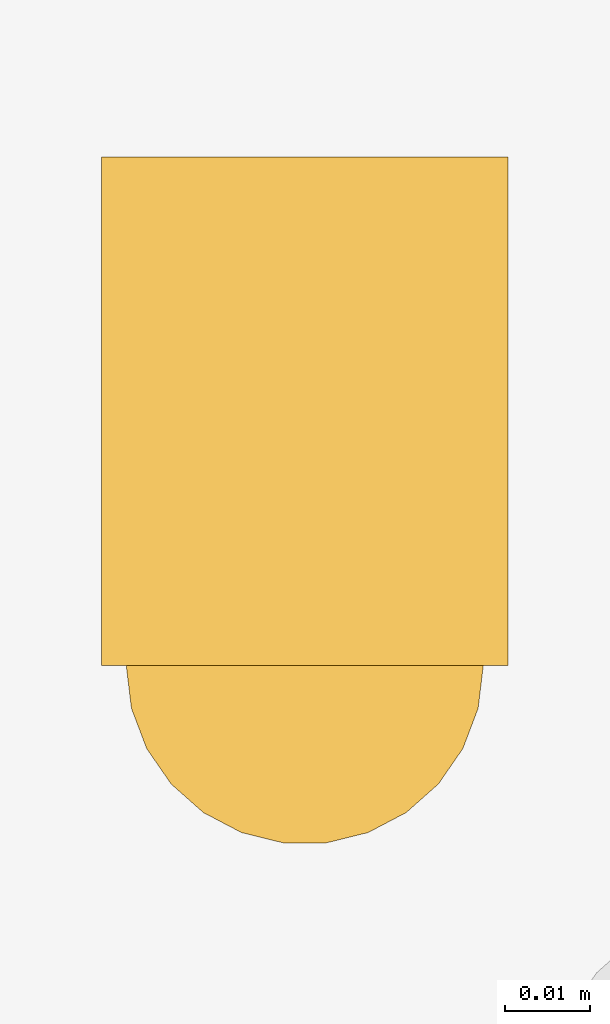
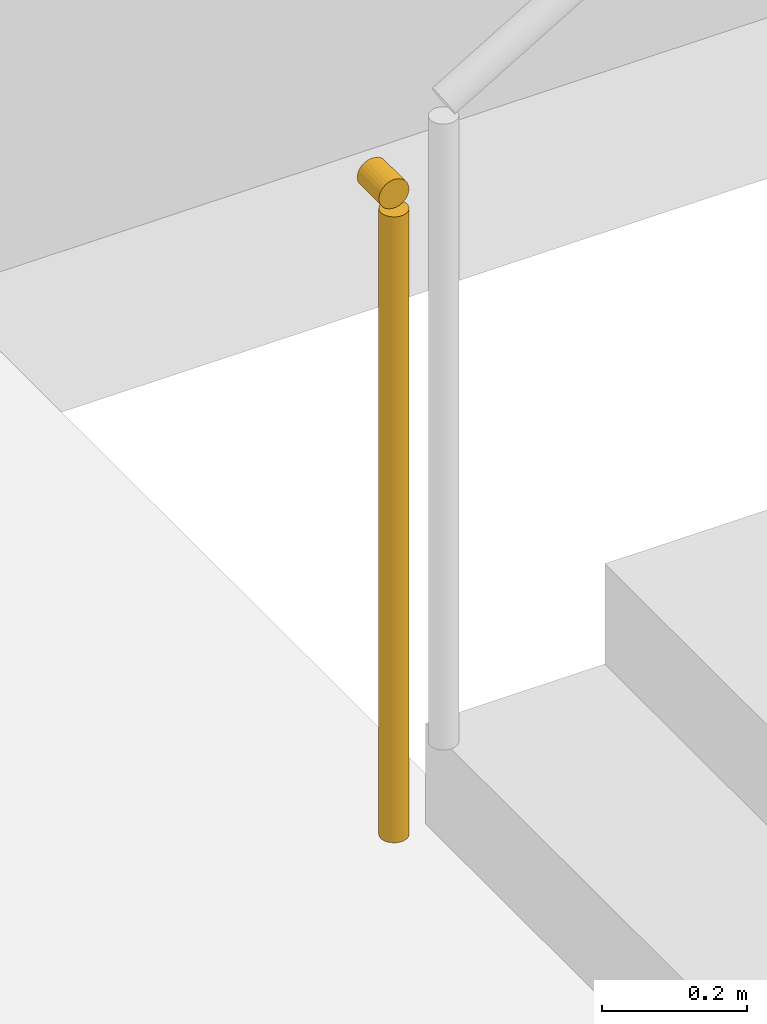
# One storey, part 16 of 18: 1 railing.
"""IFC4 building model written with IfcOpenShell, lengths in metres."""

from ifc_helpers import new_model, si_unit, direction, frame, origin, origin_2d, place, context, subcontext, project, spatial, circle, extrude, material, type_object, element, save


model = new_model("IFC4")

# Units and contexts
model_context = context("Model", 3, precision=1e-05, world=origin(), true_north=direction((0.0, 1.0)))
body_context = subcontext(model_context, "Body", "Model", "MODEL_VIEW")
ifc_project = project(units=[si_unit("LENGTHUNIT", "METRE"), si_unit("AREAUNIT", "SQUARE_METRE"), si_unit("VOLUMEUNIT", "CUBIC_METRE"), si_unit("PLANEANGLEUNIT", "RADIAN"), si_unit("MASSUNIT", "GRAM", prefix="KILO")], contexts=[model_context])

# Site, building, storey
site_placement = place(None, origin())
site = spatial("IfcSite", under=ifc_project, at=site_placement, CompositionType="ELEMENT")
building_placement = place(site_placement, origin())
building = spatial("IfcBuilding", under=site, at=building_placement, Name="Veymaron Broadcast Tower", CompositionType="ELEMENT")
storey_placement = place(building_placement, frame((0.0, 0.0, 319.5)))
storey = spatial("IfcBuildingStorey", under=building, at=storey_placement, Name="L75", CompositionType="ELEMENT", Elevation=319.5)

# Railing
ifc_material = material(Name="Painted galvanized steel balustrade", Category="steel")
railing_type = type_object("IfcRailingType", Name="RAIL-WELL-GRD", PredefinedType="GUARDRAIL", material=ifc_material)
railing_placement = place(storey_placement, frame((41.3798828125, 17.830078125, 0.0)))
element("IfcRailing", 1, at=railing_placement, inside=storey, type_object=railing_type, Name="L75 ST2 stair guard 4", PredefinedType="GUARDRAIL", context=body_context, shape_type="SweptSolid", body=[
    extrude(circle(Radius=0.02392578125, at=origin_2d()), frame((0.0, 0.0, 1.076171875), z_axis=(0.0, 1.0, 0.0), x_axis=(-1.0, 0.0, 0.0)), (0.0, 0.0, 1.0), 0.059814453125),
    extrude(circle(Radius=0.02099609375, at=origin_2d()), origin(), (0.0, 0.0, 1.0), 1.052001953125),
])

save(model, "model.ifc")
